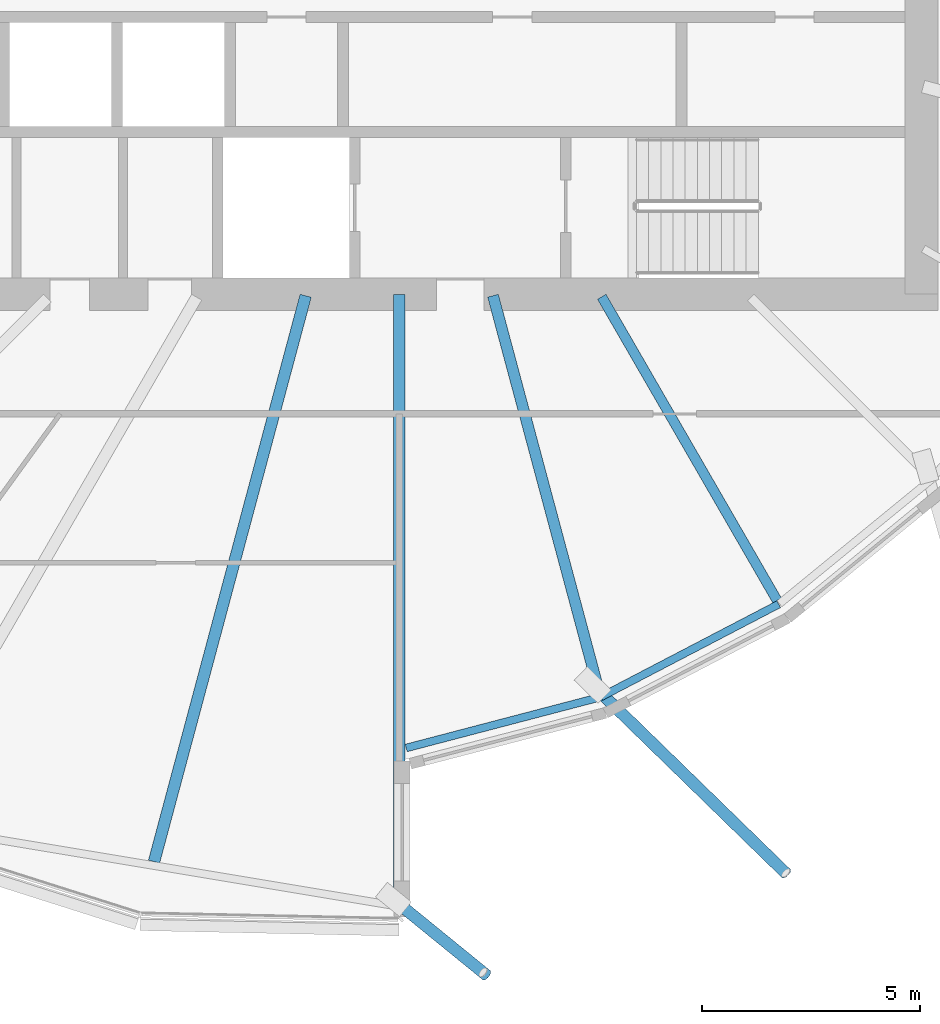
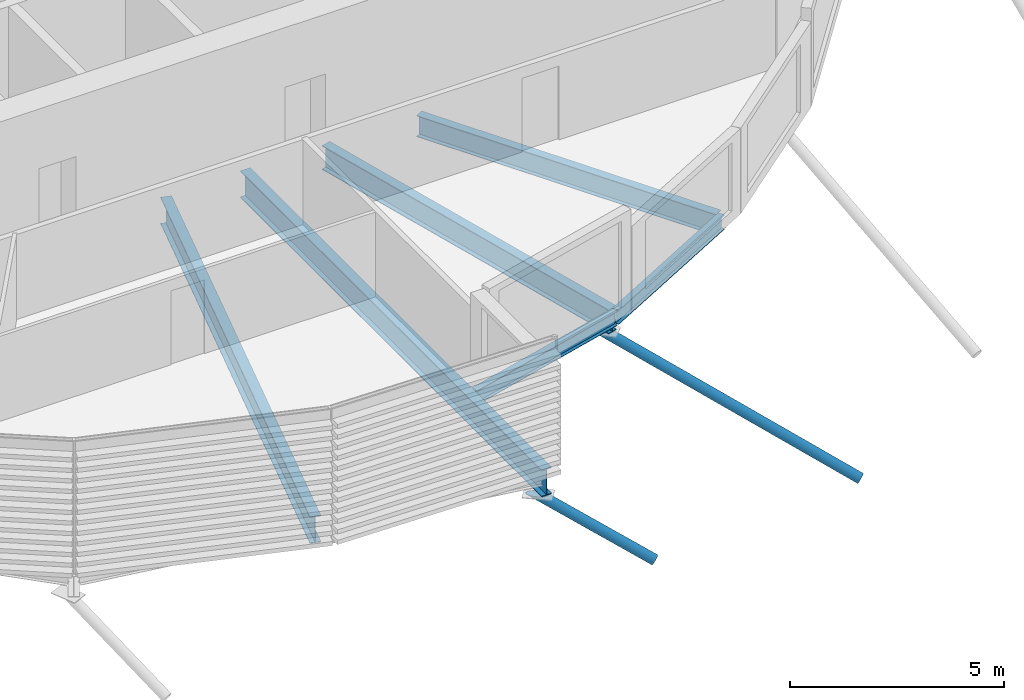
# One storey, part 13 of 40: 6 beams, 2 members.
"""IFC4 building model written with IfcOpenShell, lengths in metres."""

from ifc_helpers import new_model, si_unit, direction, frame, origin, origin_2d, place, context, subcontext, project, spatial, hollow_circle, i_section, extrude, clip, halfspace, material, material_profile, profile_set, type_object, element, save


model = new_model("IFC4")

# Units and contexts
model_context = context("Model", 3, precision=1e-05, world=origin(), true_north=direction((0.0, 1.0)))
body_context = subcontext(model_context, "Body", "Model", "MODEL_VIEW")
ifc_project = project(units=[si_unit("LENGTHUNIT", "METRE"), si_unit("AREAUNIT", "SQUARE_METRE"), si_unit("VOLUMEUNIT", "CUBIC_METRE"), si_unit("PLANEANGLEUNIT", "RADIAN"), si_unit("MASSUNIT", "GRAM", prefix="KILO")], contexts=[model_context])

# Site, building, storey
site_placement = place(None, origin())
site = spatial("IfcSite", under=ifc_project, at=site_placement, CompositionType="ELEMENT")
building_placement = place(site_placement, origin())
building = spatial("IfcBuilding", under=site, at=building_placement, Name="Rimbun Link Towers", CompositionType="ELEMENT")
storey_placement = place(building_placement, frame((0.0, 0.0, 89.199951171875)))
storey = spatial("IfcBuildingStorey", under=building, at=storey_placement, Name="L21", CompositionType="ELEMENT", Elevation=89.199951171875)

# Members
ifc_material_1 = material(Name="Steel S355J2H", Category="steel")
ifc_material_profile_1 = material_profile(ifc_material_1, hollow_circle(Radius=0.136474609375, WallThickness=0.012451171875, at=origin_2d()), Name="CHS 273x12.5")
ifc_profile_set_1 = profile_set([ifc_material_profile_1], Name="Steel S355J2H")
member_type = type_object("IfcMemberType", Name="Floor edge link CHS 273x12.5", PredefinedType="BRACE", material=ifc_profile_set_1)
member_1_placement = place(storey_placement, frame((31.75, -22.021240234375, -1.041015625), z_axis=(0.675157180266, -0.549529277328, -0.492118233044), x_axis=(0.631259469121, 0.775571713412, 0.0)))
element("IfcMember", 1, at=member_1_placement, inside=storey, type_object=member_type, Name="Floor edge link T2 L21 15", PredefinedType="BRACE", context=body_context, shape_type="Clipping", body=[
    clip(extrude(hollow_circle(Radius=0.136474609375, WallThickness=0.012451171875, at=origin_2d()), frame((0.0, 0.0, -0.50341796875)), (0.0, 0.0, 1.0), 3.463134765625), halfspace(frame((0.0, 0.0, -0.237548828125), z_axis=(0.0, 0.870528370994, -0.492118233044)), False)),
])
member_2_placement = place(storey_placement, frame((36.338134765625, -17.123291015625, -0.96630859375), z_axis=(0.639084851721, -0.622474883381, -0.451769379065), x_axis=(0.697736386943, 0.716354614933, 0.0)))
element("IfcMember", 2, at=member_2_placement, inside=storey, type_object=member_type, Name="Floor edge link T2 L21 16", PredefinedType="BRACE", context=body_context, shape_type="Clipping", body=[
    clip(extrude(hollow_circle(Radius=0.136474609375, WallThickness=0.012451171875, at=origin_2d()), frame((0.0, 0.0, -0.561279296875)), (0.0, 0.0, 1.0), 7.293212890625), halfspace(frame((0.0, 0.0, -0.267578125), z_axis=(0.0, 0.892134758957, -0.451769379065)), False)),
])

# Beams
ifc_material_2 = material(Name="Steel S355J2", Category="steel")
ifc_material_profile_2 = material_profile(ifc_material_2, i_section(OverallWidth=0.177978515625, OverallDepth=0.406494140625, WebThickness=0.0078125, FlangeThickness=0.0126953125, at=origin_2d()), Name="UB 406x178x60")
ifc_profile_set_2 = profile_set([ifc_material_profile_2], Name="Steel S355J2")
beam_type_1 = type_object("IfcBeamType", Name="UB 406x178x60", PredefinedType="BEAM", material=ifc_profile_set_2)
beam_1_placement = place(storey_placement, frame((31.906982421875, -18.428955078125, -0.363037109375), z_axis=(0.967376552356, 0.253342862446, 0.0), x_axis=(-0.253342862446, 0.967376552356, 0.0)))
element("IfcBeam", 3, at=beam_1_placement, inside=storey, type_object=beam_type_1, Name="Edge beam T2 L21 15 recess", PredefinedType="BEAM", context=body_context, shape_type="SweptSolid", body=[
    extrude(i_section(OverallWidth=0.177978515625, OverallDepth=0.406494140625, WebThickness=0.0078125, FlangeThickness=0.0126953125, at=origin_2d()), origin(), (0.0, 0.0, 1.0), 4.607421875),
])
beam_2_placement = place(storey_placement, frame((36.38427734375, -17.25390625, -0.363037109375), z_axis=(0.886721799489, 0.462303418018, 0.0), x_axis=(-0.462303418018, 0.886721799489, 0.0)))
element("IfcBeam", 4, at=beam_2_placement, inside=storey, type_object=beam_type_1, Name="Edge beam T2 L21 16 recess", PredefinedType="BEAM", context=body_context, shape_type="SweptSolid", body=[
    extrude(i_section(OverallWidth=0.177978515625, OverallDepth=0.406494140625, WebThickness=0.0078125, FlangeThickness=0.0126953125, at=origin_2d()), origin(), (0.0, 0.0, 1.0), 4.607666015625),
])
ifc_material_3 = material(Name="Steel S355J2", Category="steel")
ifc_material_profile_3 = material_profile(ifc_material_3, i_section(OverallWidth=0.2275390625, OverallDepth=0.6025390625, WebThickness=0.010498046875, FlangeThickness=0.014892578125, at=origin_2d()), Name="UB 610x229x101")
ifc_profile_set_3 = profile_set([ifc_material_profile_3], Name="Steel S355J2")
beam_type_2 = type_object("IfcBeamType", Name="UB 610x229x101", PredefinedType="BEAM", material=ifc_profile_set_3)
beam_3_placement = place(storey_placement, frame((36.402099609375, -8.057861328125, -0.461181640625), z_axis=(0.500001141088, -0.866024744976, 0.0), x_axis=(0.866024744976, 0.500001141088, 0.0)))
element("IfcBeam", 5, at=beam_3_placement, inside=storey, type_object=beam_type_2, Name="Radial beam T2 L21 17", PredefinedType="BEAM", context=body_context, shape_type="SweptSolid", body=[
    extrude(i_section(OverallWidth=0.2275390625, OverallDepth=0.6025390625, WebThickness=0.010498046875, FlangeThickness=0.014892578125, at=origin_2d()), origin(), (0.0, 0.0, 1.0), 8.0634765625),
])
ifc_material_4 = material(Name="Steel S355J2", Category="steel")
ifc_material_profile_4 = material_profile(ifc_material_4, i_section(OverallWidth=0.253662109375, OverallDepth=0.68359375, WebThickness=0.012451171875, FlangeThickness=0.01904296875, at=origin_2d()), Name="UB 686x254x140")
ifc_profile_set_4 = profile_set([ifc_material_profile_4], Name="Steel S355J2")
beam_type_3 = type_object("IfcBeamType", Name="UB 686x254x140", PredefinedType="BEAM", material=ifc_profile_set_4)
beam_4_placement = place(storey_placement, frame((33.902587890625, -8.03369140625, -0.501708984375), z_axis=(0.258817351841, -0.965926279995, 0.0), x_axis=(0.965926279995, 0.258817351841, 0.0)))
element("IfcBeam", 6, at=beam_4_placement, inside=storey, type_object=beam_type_3, Name="Radial beam T2 L21 16", PredefinedType="BEAM", context=body_context, shape_type="SweptSolid", body=[
    extrude(i_section(OverallWidth=0.253662109375, OverallDepth=0.68359375, WebThickness=0.012451171875, FlangeThickness=0.01904296875, at=origin_2d()), origin(), (0.0, 0.0, 1.0), 9.460205078125),
])
ifc_material_5 = material(Name="Steel S355J2", Category="steel")
ifc_material_profile_5 = material_profile(ifc_material_5, i_section(OverallWidth=0.2666015625, OverallDepth=0.76220703125, WebThickness=0.014404296875, FlangeThickness=0.021484375, at=origin_2d()), Name="UB 762x267x173")
ifc_profile_set_5 = profile_set([ifc_material_profile_5], Name="Steel S355J2")
beam_type_4 = type_object("IfcBeamType", Name="UB 762x267x173", PredefinedType="BEAM", material=ifc_profile_set_5)
beam_5_placement = place(storey_placement, frame((29.596923828125, -8.035400390625, -0.541015625), z_axis=(-0.258815841304, -0.965926684739, 0.0), x_axis=(0.965926684739, -0.258815841304, 0.0)))
element("IfcBeam", 7, at=beam_5_placement, inside=storey, type_object=beam_type_4, Name="Radial beam T2 L21 14", PredefinedType="BEAM", context=body_context, shape_type="SweptSolid", body=[
    extrude(i_section(OverallWidth=0.2666015625, OverallDepth=0.76220703125, WebThickness=0.014404296875, FlangeThickness=0.021484375, at=origin_2d()), origin(), (0.0, 0.0, 1.0), 13.464599609375),
])
beam_6_placement = place(storey_placement, frame((31.75, -8.0009765625, -0.541015625), z_axis=(0.0, -1.0, 0.0), x_axis=(1.0, 0.0, 0.0)))
element("IfcBeam", 8, at=beam_6_placement, inside=storey, type_object=beam_type_4, Name="Radial beam T2 L21 15", PredefinedType="BEAM", context=body_context, shape_type="SweptSolid", body=[
    extrude(i_section(OverallWidth=0.2666015625, OverallDepth=0.76220703125, WebThickness=0.014404296875, FlangeThickness=0.021484375, at=origin_2d()), origin(), (0.0, 0.0, 1.0), 14.0703125),
])

save(model, "model.ifc")
